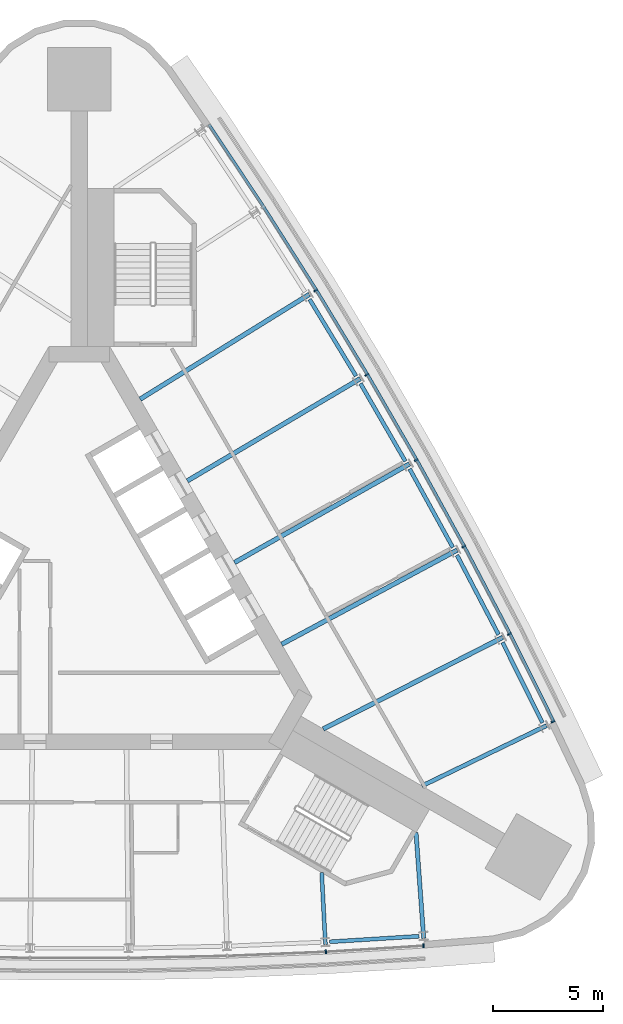
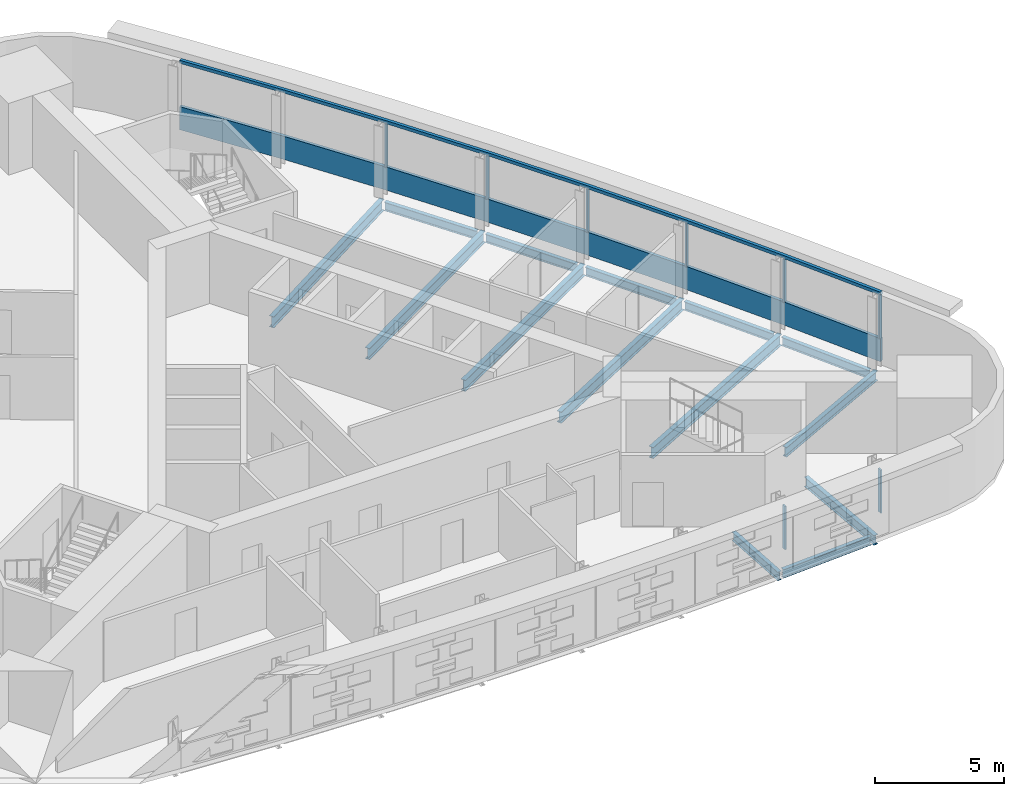
# One storey, part 5 of 12: 14 beams, 10 members, 2 elements without a shape of their own.
"""IFC4 building model written with IfcOpenShell, lengths in metres."""

import ifcopenshell
import ifcopenshell.guid

model = None  # the IFC model being written
_history = None  # IfcOwnerHistory: only IFC2X3 demands one
_inside = {}  # id of a spatial element -> (the spatial element, [elements in it])
_under = {}  # id of a project, library or spatial element -> (it, [spatial elements below it])
_declared = {}  # id of a project -> (the project, [libraries it declares])
_typed = {}  # id of a type object -> (the type object, [elements of that type])
_made_of = {}  # id of a material, layer set ... -> (it, [elements and type objects made of it])


def new_model(schema):
    """Start an empty IFC model of exactly this schema.

    Asked for "IFC4X3", IfcOpenShell would pick the latest addendum, in which some entities
    have other attributes; the version numbers below select the first issue.
    IFC2X3 requires an IfcOwnerHistory on every rooted entity: one is made here for all.
    """
    global model, _history
    if schema == "IFC4X3":
        model = ifcopenshell.file(schema_version=(4, 3, 0, 0))
    else:
        model = ifcopenshell.file(schema=schema)
    _inside.clear()
    _under.clear()
    _declared.clear()
    _typed.clear()
    _made_of.clear()
    _history = None
    if model.schema == "IFC2X3":
        org = make("IfcOrganization", Name="unknown")
        user = make(
            "IfcPersonAndOrganization",
            ThePerson=make("IfcPerson", FamilyName="unknown"),
            TheOrganization=org,
        )
        app = make(
            "IfcApplication",
            ApplicationDeveloper=org,
            Version="unknown",
            ApplicationFullName="unknown",
            ApplicationIdentifier="unknown",
        )
        _history = make(
            "IfcOwnerHistory",
            OwningUser=user,
            OwningApplication=app,
            ChangeAction="ADDED",
            CreationDate=0,
        )
    return model


def make(cls, **values):
    """One entity of the class cls with the attributes given. An attribute that is None is left unset."""
    return model.create_entity(
        cls, **{name: value for name, value in values.items() if value is not None}
    )


def rooted(cls, **values):
    """An entity with a GlobalId (a new one), such as an element, a storey or a relation."""
    return make(cls, GlobalId=ifcopenshell.guid.new(), OwnerHistory=_history, **values)


def si_unit(unit_type, name, prefix=None):
    """IfcSIUnit, for example si_unit("LENGTHUNIT", "METRE", prefix="MILLI")."""
    return make("IfcSIUnit", UnitType=unit_type, Prefix=prefix, Name=name)


def assignment(units):
    """IfcUnitAssignment: the units of a project."""
    return None if units is None else make("IfcUnitAssignment", Units=units)


def point(xyz):
    """IfcCartesianPoint."""
    return None if xyz is None else make("IfcCartesianPoint", Coordinates=xyz)


def direction(xyz):
    """IfcDirection."""
    return None if xyz is None else make("IfcDirection", DirectionRatios=xyz)


def frame(location, z_axis=None, x_axis=None):
    """IfcAxis2Placement3D, a coordinate frame: its origin and axes. An axis left out is left unset."""
    return make(
        "IfcAxis2Placement3D",
        Location=point(location),
        Axis=direction(z_axis),
        RefDirection=direction(x_axis),
    )


def frame_2d(location, x_axis=None):
    """IfcAxis2Placement2D, a coordinate frame in the plane: its origin and x axis."""
    return make(
        "IfcAxis2Placement2D", Location=point(location), RefDirection=direction(x_axis)
    )


def origin():
    """The frame at (0, 0, 0) with its axes left unset."""
    return frame((0.0, 0.0, 0.0))


def origin_2d():
    """The frame at (0, 0) in the plane with its x axis left unset."""
    return frame_2d((0.0, 0.0))


def place(relative_to, where):
    """IfcLocalPlacement: puts the frame where relative to a parent placement (None: the world)."""
    return make(
        "IfcLocalPlacement", PlacementRelTo=relative_to, RelativePlacement=where
    )


def context(
    kind, dimensions, precision=None, world=None, true_north=None, identifier=None
):
    """IfcGeometricRepresentationContext, for example the 3D "Model" context."""
    return make(
        "IfcGeometricRepresentationContext",
        ContextIdentifier=identifier,
        ContextType=kind,
        CoordinateSpaceDimension=dimensions,
        Precision=precision,
        WorldCoordinateSystem=world,
        TrueNorth=true_north,
    )


def subcontext(parent, identifier, kind, view, scale=None):
    """IfcGeometricRepresentationSubContext, for example "Body" below "Model"."""
    return make(
        "IfcGeometricRepresentationSubContext",
        ContextIdentifier=identifier,
        ContextType=kind,
        ParentContext=parent,
        TargetScale=scale,
        TargetView=view,
    )


def project(units=None, contexts=None):
    """IfcProject with its units and contexts."""
    return rooted(
        "IfcProject",
        Name="project",
        RepresentationContexts=contexts,
        UnitsInContext=assignment(units),
    )


def spatial(cls, under=None, at=None, **own):
    """A site, building, storey or space (cls), placed at a placement, below another one or the project."""
    s = rooted(cls, ObjectPlacement=at, **own)
    if under is not None:
        _under.setdefault(under.id(), (under, []))[1].append(s)
    return s


def polyline(points):
    """IfcPolyline through the points."""
    return make("IfcPolyline", Points=[point(p) for p in points])


def profile(cls, at=None, kind="AREA", **sizes):
    """A parametric profile (cls). Its sizes go by their IFC names, for example OverallWidth=200.0."""
    return make(cls, ProfileType=kind, Position=at, **sizes)


def rectangle(**sizes):
    """IfcRectangleProfileDef."""
    return profile("IfcRectangleProfileDef", **sizes)


def i_section(**sizes):
    """IfcIShapeProfileDef."""
    return profile("IfcIShapeProfileDef", **sizes)


def outline(outer, holes=None, kind="AREA"):
    """IfcArbitraryClosedProfileDef: a profile drawn as a closed curve; with holes, ...WithVoids."""
    if holes is None:
        return make("IfcArbitraryClosedProfileDef", ProfileType=kind, OuterCurve=outer)
    return make(
        "IfcArbitraryProfileDefWithVoids",
        ProfileType=kind,
        OuterCurve=outer,
        InnerCurves=holes,
    )


def extrude(swept, where, along, depth):
    """IfcExtrudedAreaSolid: the profile swept, set in the frame where, extruded along a direction by depth."""
    return make(
        "IfcExtrudedAreaSolid",
        SweptArea=swept,
        Position=where,
        ExtrudedDirection=direction(along),
        Depth=depth,
    )


def shape(context_of_items, identifier, shape_type, items):
    """IfcShapeRepresentation: the items that make up one representation, for example the "Body"."""
    return make(
        "IfcShapeRepresentation",
        ContextOfItems=context_of_items,
        RepresentationIdentifier=identifier,
        RepresentationType=shape_type,
        Items=items,
    )


def material(Name=None, Category=None):
    """IfcMaterial."""
    return make("IfcMaterial", Name=Name, Category=Category)


def material_profile(
    of_material, cross_section, Name=None, Category=None, Priority=None
):
    """IfcMaterialProfile: a cross section and its material."""
    return make(
        "IfcMaterialProfile",
        Name=Name,
        Material=of_material,
        Profile=cross_section,
        Priority=Priority,
        Category=Category,
    )


def profile_set(profiles, Name=None, composite=None):
    """IfcMaterialProfileSet."""
    return make(
        "IfcMaterialProfileSet",
        Name=Name,
        MaterialProfiles=profiles,
        CompositeProfile=composite,
    )


def made_of(thing, what):
    """Note that an element or type object is made of a material, layer set ...; save() writes the relation."""
    if what is not None:
        _made_of.setdefault(what.id(), (what, []))[1].append(thing)
    return thing


def type_object(cls, material=None, **own):
    """A type object (cls), such as IfcWallType, which elements share."""
    return made_of(rooted(cls, **own), material)


def element(
    cls,
    number,
    at=None,
    inside=None,
    cuts=None,
    type_object=None,
    material=None,
    context=None,
    identifier="Body",
    shape_type=None,
    held_by="IfcProductDefinitionShape",
    body=None,
    shapes=None,
    **own,
):
    """One element of the class cls, such as IfcWall. Its Tag is "e" and its number.

    at: its placement. inside: the storey or other place that contains it. cuts: it is an
    opening in that element (IfcRelVoidsElement). A single representation is given by context,
    identifier, shape_type and body (its items); several are given by shapes. held_by: the class
    of the entity that holds the representations. save() writes the other relations.
    """
    e = rooted(cls, Tag="e%d" % number, ObjectPlacement=at, **own)
    if body is not None:
        shapes = [shape(context, identifier, shape_type, body)]
    if shapes is not None:
        e.Representation = make(held_by, Representations=shapes)
    if inside is not None:
        _inside.setdefault(inside.id(), (inside, []))[1].append(e)
    if cuts is not None:
        rooted(
            "IfcRelVoidsElement", RelatingBuildingElement=cuts, RelatedOpeningElement=e
        )
    if type_object is not None:
        _typed.setdefault(type_object.id(), (type_object, []))[1].append(e)
    return made_of(e, material)


def aggregate(whole, parts):
    """IfcRelAggregates: a whole, such as a stair, and the parts it consists of."""
    return rooted("IfcRelAggregates", RelatingObject=whole, RelatedObjects=parts)


def save(model, path):
    """Write the relations noted so far, then the file.

    IfcRelAggregates (storeys below a building ...), IfcRelContainedInSpatialStructure (elements
    in a storey), IfcRelDefinesByType, IfcRelAssociatesMaterial and IfcRelDeclares: one each for
    every whole, place, type object, material and project.
    """
    for whole, parts in _under.values():
        aggregate(whole, parts)
    for where, things in _inside.values():
        rooted(
            "IfcRelContainedInSpatialStructure",
            RelatedElements=things,
            RelatingStructure=where,
        )
    for kind, things in _typed.values():
        rooted("IfcRelDefinesByType", RelatedObjects=things, RelatingType=kind)
    for what, things in _made_of.values():
        rooted("IfcRelAssociatesMaterial", RelatedObjects=things, RelatingMaterial=what)
    for by, libraries in _declared.values():
        rooted("IfcRelDeclares", RelatingContext=by, RelatedDefinitions=libraries)
    model.write(path)


model = new_model("IFC4")

# Units and contexts
model_context = context("Model", 3, precision=1e-05, world=origin(), true_north=direction((0.0, 1.0)))
body_context = subcontext(model_context, "Body", "Model", "MODEL_VIEW")
ifc_project = project(units=[si_unit("LENGTHUNIT", "METRE"), si_unit("AREAUNIT", "SQUARE_METRE"), si_unit("VOLUMEUNIT", "CUBIC_METRE"), si_unit("PLANEANGLEUNIT", "RADIAN"), si_unit("MASSUNIT", "GRAM", prefix="KILO")], contexts=[model_context])

# Site, building, storey
site_placement = place(None, origin())
site = spatial("IfcSite", under=ifc_project, at=site_placement, CompositionType="ELEMENT")
building_placement = place(site_placement, origin())
building = spatial("IfcBuilding", under=site, at=building_placement, Name="Noor Cloister Tower", CompositionType="ELEMENT")
storey_placement = place(building_placement, frame((0.0, 0.0, 154.5)))
storey = spatial("IfcBuildingStorey", under=building, at=storey_placement, Name="L39", CompositionType="ELEMENT", Elevation=154.5)

# Curtain wall, member
ifc_material_1 = material(Name="Aluminium 6063-T6 anodised", Category="aluminium")
curtain_wall_type = type_object("IfcCurtainWallType", Name="Ribbon curtain wall, upper tower CW5", PredefinedType="NOTDEFINED", material=ifc_material_1)
curtain_wall_1_placement = place(storey_placement, origin())
curtain_wall_1 = element("IfcCurtainWall", 1, at=curtain_wall_1_placement, inside=storey, type_object=curtain_wall_type, Name="CW5 L39 NE run 3", PredefinedType="NOTDEFINED")
ifc_material_2 = material(Name="Aluminium 6063-T6 anodised", Category="aluminium")
member_type_1 = type_object("IfcMemberType", Name="Head transom CW5 150", PredefinedType="USERDEFINED", material=ifc_material_2)
member_1_placement = place(storey_placement, frame((0.0, 0.0, 3.14990234375)))
member_1 = element("IfcMember", 2, at=member_1_placement, type_object=member_type_1, Name="CW5 head transom", ObjectType="TRANSOM", PredefinedType="USERDEFINED", context=body_context, shape_type="SweptSolid", body=[
    extrude(outline(polyline([(21.703857421875, -5.639892578125), (19.700439453125, -1.610595703125), (17.61376953125, 2.37646484375), (15.445068359375, 6.3193359375), (13.195068359375, 10.21630859375), (10.864990234375, 14.06591796875), (8.455322265625, 17.8662109375), (5.967529296875, 21.615966796875), (5.850830078125, 21.53857421875), (8.337890625, 17.7900390625), (10.745849609375, 13.9921875), (13.07470703125, 10.14501953125), (15.3232421875, 6.25048828125), (17.490478515625, 2.310302734375), (19.57568359375, -1.674072265625), (21.578369140625, -5.7021484375), (21.703857421875, -5.639892578125)])), origin(), (0.0, 0.0, 1.0), 0.150146484375),
])

# Curtain wall, members
curtain_wall_2_placement = place(storey_placement, origin())
curtain_wall_2 = element("IfcCurtainWall", 3, at=curtain_wall_2_placement, inside=storey, type_object=curtain_wall_type, Name="CW5 L39 S run 2", PredefinedType="NOTDEFINED")
ifc_material_3 = material(Name="Aluminium 6063-T6 anodised", Category="aluminium")
ifc_material_profile_1 = material_profile(ifc_material_3, rectangle(XDim=0.179931640625, YDim=0.070068359375, at=origin_2d()), Name="180 x 70 mullion")
ifc_profile_set_1 = profile_set([ifc_material_profile_1], Name="Aluminium 6063-T6 anodised")
member_type_2 = type_object("IfcMemberType", Name="Mullion CW5 70 x 180", PredefinedType="MULLION", material=ifc_profile_set_1)
member_2_placement = place(storey_placement, frame((11.23974609375, -16.15576171875, 1.10009765625), z_axis=(0.0, 0.0, 1.0), x_axis=(-0.051798601111, 0.998657551377, 0.0)))
member_2 = element("IfcMember", 4, at=member_2_placement, type_object=member_type_2, Name="CW5 mullion 7", PredefinedType="MULLION", context=body_context, shape_type="SweptSolid", body=[
    extrude(rectangle(XDim=0.179931640625, YDim=0.070068359375, at=origin_2d()), origin(), (0.0, 0.0, 1.0), 2.0498046875),
])
member_3_placement = place(storey_placement, frame((15.695068359375, -15.87841796875, 1.10009765625), z_axis=(0.0, 0.0, 1.0), x_axis=(-0.06214607862, 0.998067064336, 0.0)))
member_3 = element("IfcMember", 5, at=member_3_placement, type_object=member_type_2, Name="CW5 mullion 8", PredefinedType="MULLION", context=body_context, shape_type="SweptSolid", body=[
    extrude(rectangle(XDim=0.179931640625, YDim=0.070068359375, at=origin_2d()), origin(), (0.0, 0.0, 1.0), 2.0498046875),
])
aggregate(curtain_wall_2, [member_2, member_3])

# Member
member_4_placement = place(storey_placement, frame((21.5986328125, -5.653076171875, 1.10009765625), z_axis=(0.0, 0.0, 1.0), x_axis=(-0.895424471705, -0.445213449338, 0.0)))
member_4 = element("IfcMember", 6, at=member_4_placement, type_object=member_type_2, Name="CW5 mullion 1", PredefinedType="MULLION", context=body_context, shape_type="SweptSolid", body=[
    extrude(rectangle(XDim=0.179931640625, YDim=0.070068359375, at=origin_2d()), origin(), (0.0, 0.0, 1.0), 2.0498046875),
])

member_5_placement = place(storey_placement, frame((19.611328125, -1.656005859375, 1.10009765625), z_axis=(0.0, 0.0, 1.0), x_axis=(-0.890762109729, -0.454469871246, 0.0)))
member_5 = element("IfcMember", 7, at=member_5_placement, type_object=member_type_2, Name="CW5 mullion 2", PredefinedType="MULLION", context=body_context, shape_type="SweptSolid", body=[
    extrude(rectangle(XDim=0.179931640625, YDim=0.070068359375, at=origin_2d()), origin(), (0.0, 0.0, 1.0), 2.0498046875),
])

member_6_placement = place(storey_placement, frame((17.525634765625, 2.3291015625, 1.10009765625), z_axis=(0.0, 0.0, 1.0), x_axis=(-0.881150842648, -0.472835269942, 0.0)))
member_6 = element("IfcMember", 8, at=member_6_placement, type_object=member_type_2, Name="CW5 mullion 3", PredefinedType="MULLION", context=body_context, shape_type="SweptSolid", body=[
    extrude(rectangle(XDim=0.179931640625, YDim=0.070068359375, at=origin_2d()), origin(), (0.0, 0.0, 1.0), 2.0498046875),
])

member_7_placement = place(storey_placement, frame((15.35791015625, 6.27001953125, 1.10009765625), z_axis=(0.0, 0.0, 1.0), x_axis=(-0.871160976485, -0.49099750819, 0.0)))
member_7 = element("IfcMember", 9, at=member_7_placement, type_object=member_type_2, Name="CW5 mullion 4", PredefinedType="MULLION", context=body_context, shape_type="SweptSolid", body=[
    extrude(rectangle(XDim=0.179931640625, YDim=0.070068359375, at=origin_2d()), origin(), (0.0, 0.0, 1.0), 2.0498046875),
])

member_8_placement = place(storey_placement, frame((13.109130859375, 10.165283203125, 1.10009765625), z_axis=(0.0, 0.0, 1.0), x_axis=(-0.86079680353, -0.508948782327, 0.0)))
member_8 = element("IfcMember", 10, at=member_8_placement, type_object=member_type_2, Name="CW5 mullion 5", PredefinedType="MULLION", context=body_context, shape_type="SweptSolid", body=[
    extrude(rectangle(XDim=0.179931640625, YDim=0.070068359375, at=origin_2d()), origin(), (0.0, 0.0, 1.0), 2.0498046875),
])

member_9_placement = place(storey_placement, frame((10.780029296875, 14.01318359375, 1.10009765625), z_axis=(0.0, 0.0, 1.0), x_axis=(-0.850062776899, -0.526681379328, 0.0)))
member_9 = element("IfcMember", 11, at=member_9_placement, type_object=member_type_2, Name="CW5 mullion 6", PredefinedType="MULLION", context=body_context, shape_type="SweptSolid", body=[
    extrude(rectangle(XDim=0.179931640625, YDim=0.070068359375, at=origin_2d()), origin(), (0.0, 0.0, 1.0), 2.0498046875),
])

# Beams
ifc_material_4 = material(Name="Steel ASTM A992 Gr 50", Category="steel")
ifc_material_profile_2 = material_profile(ifc_material_4, i_section(OverallWidth=0.177978515625, OverallDepth=0.406005859375, WebThickness=0.0078125, FlangeThickness=0.0126953125, FilletRadius=0.01025390625, at=origin_2d()), Name="W410x60")
ifc_profile_set_2 = profile_set([ifc_material_profile_2], Name="Steel ASTM A992 Gr 50")
beam_type_1 = type_object("IfcBeamType", Name="Radial beam W410x60", PredefinedType="BEAM", material=ifc_profile_set_2)
beam_1_placement = place(storey_placement, frame((11.221923828125, -15.813232421875, -0.403076171875), z_axis=(-0.051803762661, 0.998657283643, 0.0), x_axis=(-0.998657283643, -0.051803762661, 0.0)))
element("IfcBeam", 12, at=beam_1_placement, inside=storey, type_object=beam_type_1, Name="Radial beam S 07 L39", PredefinedType="BEAM", context=body_context, shape_type="SweptSolid", body=[
    extrude(i_section(OverallWidth=0.177978515625, OverallDepth=0.406005859375, WebThickness=0.0078125, FlangeThickness=0.0126953125, FilletRadius=0.01025390625, at=origin_2d()), origin(), (0.0, 0.0, 1.0), 3.275390625),
])
ifc_material_5 = material(Name="Steel ASTM A992 Gr 50", Category="steel")
ifc_material_profile_3 = material_profile(ifc_material_5, i_section(OverallWidth=0.19091796875, OverallDepth=0.45703125, WebThickness=0.009033203125, FlangeThickness=0.014404296875, FilletRadius=0.01025390625, at=origin_2d()), Name="W460x74")
ifc_profile_set_3 = profile_set([ifc_material_profile_3], Name="Steel ASTM A992 Gr 50")
beam_type_2 = type_object("IfcBeamType", Name="Radial beam W460x74", PredefinedType="BEAM", material=ifc_profile_set_3)
beam_2_placement = place(storey_placement, frame((15.7041015625, -15.5341796875, -0.428466796875), z_axis=(-0.07251191751, 0.997367546002, 0.0), x_axis=(-0.997367546002, -0.07251191751, 0.0)))
element("IfcBeam", 13, at=beam_2_placement, inside=storey, type_object=beam_type_2, Name="Radial beam S 08 L39", PredefinedType="BEAM", context=body_context, shape_type="SweptSolid", body=[
    extrude(i_section(OverallWidth=0.19091796875, OverallDepth=0.45703125, WebThickness=0.009033203125, FlangeThickness=0.014404296875, FilletRadius=0.01025390625, at=origin_2d()), origin(), (0.0, 0.0, 1.0), 4.828125),
])
beam_3_placement = place(storey_placement, frame((21.30517578125, -5.8330078125, -0.428466796875), z_axis=(-0.899992461443, -0.435905459183, 0.0), x_axis=(0.435905459183, -0.899992461443, 0.0)))
element("IfcBeam", 14, at=beam_3_placement, inside=storey, type_object=beam_type_2, Name="Radial beam NE 01 L39", PredefinedType="BEAM", context=body_context, shape_type="SweptSolid", body=[
    extrude(i_section(OverallWidth=0.19091796875, OverallDepth=0.45703125, WebThickness=0.009033203125, FlangeThickness=0.014404296875, FilletRadius=0.01025390625, at=origin_2d()), origin(), (0.0, 0.0, 1.0), 6.3154296875),
])
ifc_material_6 = material(Name="Steel ASTM A992 Gr 50", Category="steel")
ifc_material_profile_4 = material_profile(ifc_material_6, i_section(OverallWidth=0.208984375, OverallDepth=0.532958984375, WebThickness=0.01025390625, FlangeThickness=0.015625, FilletRadius=0.0126953125, at=origin_2d()), Name="W530x92")
ifc_profile_set_4 = profile_set([ifc_material_profile_4], Name="Steel ASTM A992 Gr 50")
beam_type_3 = type_object("IfcBeamType", Name="Radial beam W530x92", PredefinedType="BEAM", material=ifc_profile_set_4)
beam_4_placement = place(storey_placement, frame((19.3056640625, -1.811767578125, -0.466552734375), z_axis=(-0.890751991144, -0.454489703154, 0.0), x_axis=(0.454489703154, -0.890751991144, 0.0)))
element("IfcBeam", 15, at=beam_4_placement, inside=storey, type_object=beam_type_3, Name="Radial beam NE 02 L39", PredefinedType="BEAM", context=body_context, shape_type="SweptSolid", body=[
    extrude(i_section(OverallWidth=0.208984375, OverallDepth=0.532958984375, WebThickness=0.01025390625, FlangeThickness=0.015625, FilletRadius=0.0126953125, at=origin_2d()), origin(), (0.0, 0.0, 1.0), 9.1884765625),
])
beam_5_placement = place(storey_placement, frame((17.223388671875, 2.1669921875, -0.466552734375), z_axis=(-0.881147419795, -0.472841648534, 0.0), x_axis=(0.472841648534, -0.881147419795, 0.0)))
element("IfcBeam", 16, at=beam_5_placement, inside=storey, type_object=beam_type_3, Name="Radial beam NE 03 L39", PredefinedType="BEAM", context=body_context, shape_type="SweptSolid", body=[
    extrude(i_section(OverallWidth=0.208984375, OverallDepth=0.532958984375, WebThickness=0.01025390625, FlangeThickness=0.015625, FilletRadius=0.0126953125, at=origin_2d()), origin(), (0.0, 0.0, 1.0), 9.075439453125),
])
beam_6_placement = place(storey_placement, frame((15.059326171875, 6.101806640625, -0.466552734375), z_axis=(-0.871159045846, -0.491000933646, 0.0), x_axis=(0.491000933646, -0.871159045846, 0.0)))
element("IfcBeam", 17, at=beam_6_placement, inside=storey, type_object=beam_type_3, Name="Radial beam NE 04 L39", PredefinedType="BEAM", context=body_context, shape_type="SweptSolid", body=[
    extrude(i_section(OverallWidth=0.208984375, OverallDepth=0.532958984375, WebThickness=0.01025390625, FlangeThickness=0.015625, FilletRadius=0.0126953125, at=origin_2d()), origin(), (0.0, 0.0, 1.0), 9.1650390625),
])
beam_7_placement = place(storey_placement, frame((12.81396484375, 9.99072265625, -0.466552734375), z_axis=(-0.860805589121, -0.508933922763, 0.0), x_axis=(0.508933922763, -0.860805589121, 0.0)))
element("IfcBeam", 18, at=beam_7_placement, inside=storey, type_object=beam_type_3, Name="Radial beam NE 05 L39", PredefinedType="BEAM", context=body_context, shape_type="SweptSolid", body=[
    extrude(i_section(OverallWidth=0.208984375, OverallDepth=0.532958984375, WebThickness=0.01025390625, FlangeThickness=0.015625, FilletRadius=0.0126953125, at=origin_2d()), origin(), (0.0, 0.0, 1.0), 9.164794921875),
])
beam_8_placement = place(storey_placement, frame((10.48828125, 13.83251953125, -0.466552734375), z_axis=(-0.850059269974, -0.526687039456, 0.0), x_axis=(0.526687039456, -0.850059269974, 0.0)))
element("IfcBeam", 19, at=beam_8_placement, inside=storey, type_object=beam_type_3, Name="Radial beam NE 06 L39", PredefinedType="BEAM", context=body_context, shape_type="SweptSolid", body=[
    extrude(i_section(OverallWidth=0.208984375, OverallDepth=0.532958984375, WebThickness=0.01025390625, FlangeThickness=0.015625, FilletRadius=0.0126953125, at=origin_2d()), origin(), (0.0, 0.0, 1.0), 9.07568359375),
])

# Member
ifc_material_7 = material(Name="Aluminium 6063-T6 anodised", Category="aluminium")
member_type_3 = type_object("IfcMemberType", Name="Sill transom CW5 1100", PredefinedType="USERDEFINED", material=ifc_material_7)
member_10_placement = place(storey_placement, origin())
member_10 = element("IfcMember", 20, at=member_10_placement, type_object=member_type_3, Name="CW5 sill transom", ObjectType="TRANSOM", PredefinedType="USERDEFINED", context=body_context, shape_type="SweptSolid", body=[
    extrude(outline(polyline([(21.703857421875, -5.639892578125), (19.700439453125, -1.610595703125), (17.61376953125, 2.37646484375), (15.445068359375, 6.3193359375), (13.195068359375, 10.21630859375), (10.864990234375, 14.06591796875), (8.455322265625, 17.8662109375), (5.967529296875, 21.615966796875), (5.850830078125, 21.53857421875), (8.337890625, 17.7900390625), (10.745849609375, 13.9921875), (13.07470703125, 10.14501953125), (15.3232421875, 6.25048828125), (17.490478515625, 2.310302734375), (19.57568359375, -1.674072265625), (21.578369140625, -5.7021484375), (21.703857421875, -5.639892578125)])), origin(), (0.0, 0.0, 1.0), 1.10009765625),
])

aggregate(curtain_wall_1, [member_4, member_5, member_6, member_7, member_8, member_9, member_10, member_1])

# Beams
ifc_material_8 = material(Name="Steel ASTM A992 Gr 50", Category="steel")
ifc_material_profile_5 = material_profile(ifc_material_8, i_section(OverallWidth=0.177978515625, OverallDepth=0.406005859375, WebThickness=0.0078125, FlangeThickness=0.0126953125, FilletRadius=0.01025390625, at=origin_2d()), Name="W410x60")
ifc_profile_set_5 = profile_set([ifc_material_profile_5], Name="Steel ASTM A992 Gr 50")
beam_type_4 = type_object("IfcBeamType", Name="Spandrel beam W410x60", PredefinedType="SPANDREL", material=ifc_profile_set_5)
beam_9_placement = place(storey_placement, frame((11.41552734375, -15.694091796875, -0.403076171875), z_axis=(0.998067184811, 0.062144143752, 0.0), x_axis=(-0.062144143752, 0.998067184811, 0.0)))
element("IfcBeam", 21, at=beam_9_placement, inside=storey, type_object=beam_type_4, Name="Spandrel beam S 07 L39", PredefinedType="SPANDREL", context=body_context, shape_type="SweptSolid", body=[
    extrude(i_section(OverallWidth=0.177978515625, OverallDepth=0.406005859375, WebThickness=0.0078125, FlangeThickness=0.0126953125, FilletRadius=0.01025390625, at=origin_2d()), origin(), (0.0, 0.0, 1.0), 4.089599609375),
])
beam_10_placement = place(storey_placement, frame((21.119873046875, -5.700927734375, -0.403076171875), z_axis=(-0.445182645063, 0.895439787219, 0.0), x_axis=(-0.895439787219, -0.445182645063, 0.0)))
element("IfcBeam", 22, at=beam_10_placement, inside=storey, type_object=beam_type_4, Name="Spandrel beam NE 01 L39", PredefinedType="SPANDREL", context=body_context, shape_type="SweptSolid", body=[
    extrude(i_section(OverallWidth=0.177978515625, OverallDepth=0.406005859375, WebThickness=0.0078125, FlangeThickness=0.0126953125, FilletRadius=0.01025390625, at=origin_2d()), origin(), (0.0, 0.0, 1.0), 4.08935546875),
])
beam_11_placement = place(storey_placement, frame((19.117919921875, -1.683837890625, -0.403076171875), z_axis=(-0.463685734308, 0.885999740293, 0.0), x_axis=(-0.885999740293, -0.463685734308, 0.0)))
element("IfcBeam", 23, at=beam_11_placement, inside=storey, type_object=beam_type_4, Name="Spandrel beam NE 02 L39", PredefinedType="SPANDREL", context=body_context, shape_type="SweptSolid", body=[
    extrude(i_section(OverallWidth=0.177978515625, OverallDepth=0.406005859375, WebThickness=0.0078125, FlangeThickness=0.0126953125, FilletRadius=0.01025390625, at=origin_2d()), origin(), (0.0, 0.0, 1.0), 4.089599609375),
])
beam_12_placement = place(storey_placement, frame((17.032958984375, 2.291015625, -0.403076171875), z_axis=(-0.481902707322, 0.876224731833, 0.0), x_axis=(-0.876224731833, -0.481902707322, 0.0)))
element("IfcBeam", 24, at=beam_12_placement, inside=storey, type_object=beam_type_4, Name="Spandrel beam NE 03 L39", PredefinedType="SPANDREL", context=body_context, shape_type="SweptSolid", body=[
    extrude(i_section(OverallWidth=0.177978515625, OverallDepth=0.406005859375, WebThickness=0.0078125, FlangeThickness=0.0126953125, FilletRadius=0.01025390625, at=origin_2d()), origin(), (0.0, 0.0, 1.0), 4.08935546875),
])
for number, where, z_axis, x_axis, name in (
    (25, (14.8662109375, 6.221923828125, -0.403076171875), (-0.49997222419, 0.866041439562, 0.0), (-0.866041439562, -0.49997222419, 0.0), "Spandrel beam NE 04 L39"),
    (26, (12.618408203125, 10.10693359375, -0.403076171875), (-0.517827974797, 0.855484768139, 0.0), (-0.855484768139, -0.517827974797, 0.0), "Spandrel beam NE 05 L39"),
):
    element("IfcBeam", number, at=place(storey_placement, frame(where, z_axis=z_axis, x_axis=x_axis)), inside=storey, type_object=beam_type_4, Name=name, PredefinedType="SPANDREL", context=body_context, shape_type="SweptSolid", body=[
        extrude(i_section(OverallWidth=0.177978515625, OverallDepth=0.406005859375, WebThickness=0.0078125, FlangeThickness=0.0126953125, FilletRadius=0.01025390625, at=origin_2d()), origin(), (0.0, 0.0, 1.0), 4.089599609375),
    ])

save(model, "model.ifc")
